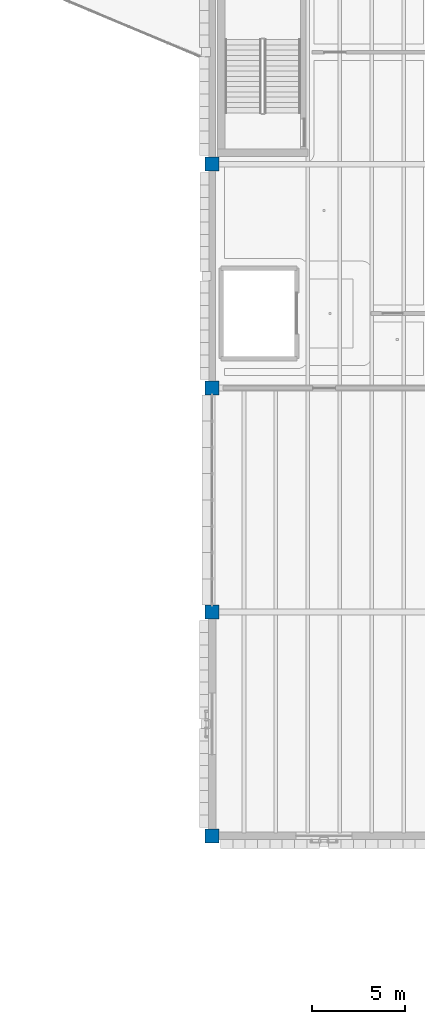
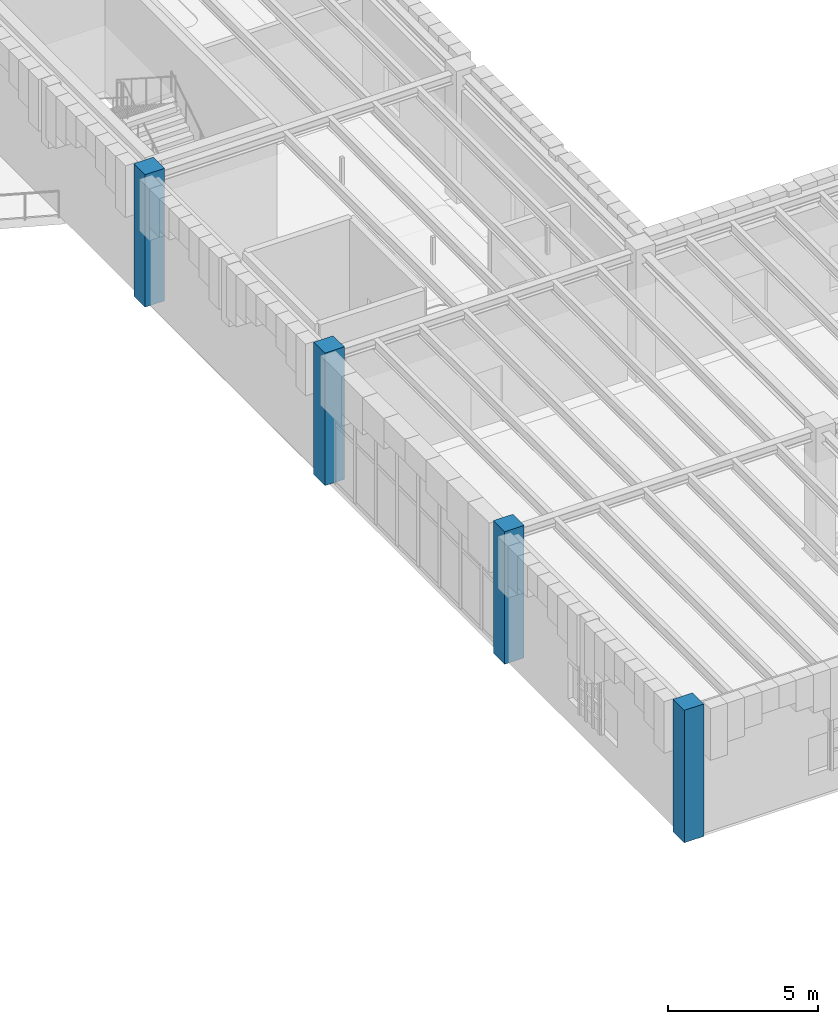
# One storey, part 3 of 103: 4 columns.
"""IFC4 building model written with IfcOpenShell, lengths in metres."""

from ifc_helpers import new_model, si_unit, direction, frame, origin, origin_2d, place, context, subcontext, project, spatial, rectangle, extrude, material, material_profile, profile_set, type_object, element, save


model = new_model("IFC4")

# Units and contexts
model_context = context("Model", 3, precision=1e-05, world=origin(), true_north=direction((0.0, 1.0)))
body_context = subcontext(model_context, "Body", "Model", "MODEL_VIEW")
ifc_project = project(units=[si_unit("LENGTHUNIT", "METRE"), si_unit("AREAUNIT", "SQUARE_METRE"), si_unit("VOLUMEUNIT", "CUBIC_METRE"), si_unit("PLANEANGLEUNIT", "RADIAN"), si_unit("MASSUNIT", "GRAM", prefix="KILO")], contexts=[model_context])

# Site, building, storey
site_placement = place(None, origin())
site = spatial("IfcSite", under=ifc_project, at=site_placement, CompositionType="ELEMENT")
building_placement = place(site_placement, origin())
building = spatial("IfcBuilding", under=site, at=building_placement, Name="Zlatogorsky Bluff Art Gallery", CompositionType="ELEMENT")
storey_placement = place(building_placement, origin())
storey = spatial("IfcBuildingStorey", under=building, at=storey_placement, Name="L00", CompositionType="ELEMENT", Elevation=0.0)

# Columns
ifc_material = material(Name="Concrete C35/45", Category="concrete")
ifc_material_profile = material_profile(ifc_material, rectangle(XDim=0.75, YDim=0.75, at=origin_2d()), Name="RC 750x750")
ifc_profile_set = profile_set([ifc_material_profile], Name="Concrete C35/45")
column_type = type_object("IfcColumnType", Name="Column CL-12 RC 750x750", PredefinedType="COLUMN", material=ifc_profile_set)
for number, where, z_axis, x_axis, name in (
    (1, (120.0, 26.39990234375, 0.0), (0.0, 0.0, 1.0), (1.0, 0.0, 0.0), "Column CL-12 L00 L4"),
    (2, (120.0, 38.39990234375, 0.0), (0.0, 0.0, 1.0), (1.0, 0.0, 0.0), "Column CL-12 L00 L5"),
    (3, (120.0, 50.39990234375, 0.0), (0.0, 0.0, 1.0), (1.0, 0.0, 0.0), "Column CL-12 L00 L6"),
    (4, (120.0, 62.39990234375, 0.0), (0.0, 0.0, 1.0), (1.0, 0.0, 0.0), "Column CL-12 L00 L7"),
):
    element("IfcColumn", number, at=place(storey_placement, frame(where, z_axis=z_axis, x_axis=x_axis)), inside=storey, type_object=column_type, Name=name, PredefinedType="COLUMN", context=body_context, shape_type="SweptSolid", body=[
        extrude(rectangle(XDim=0.75, YDim=0.75, at=origin_2d()), origin(), (0.0, 0.0, 1.0), 5.39990234375),
    ])

save(model, "model.ifc")
